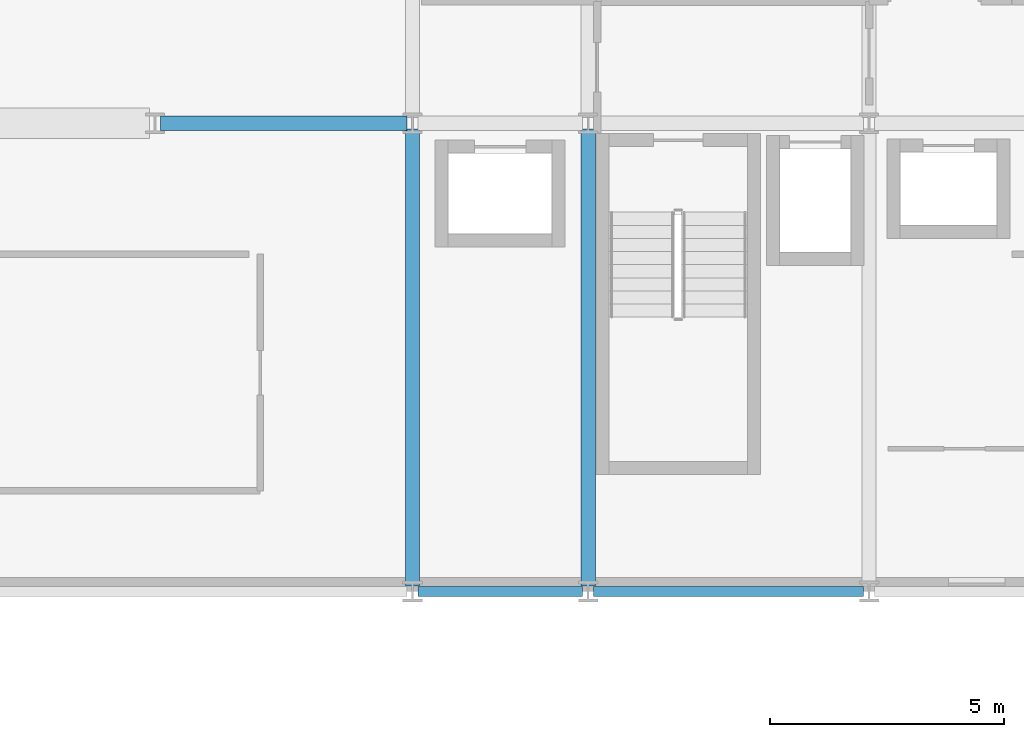
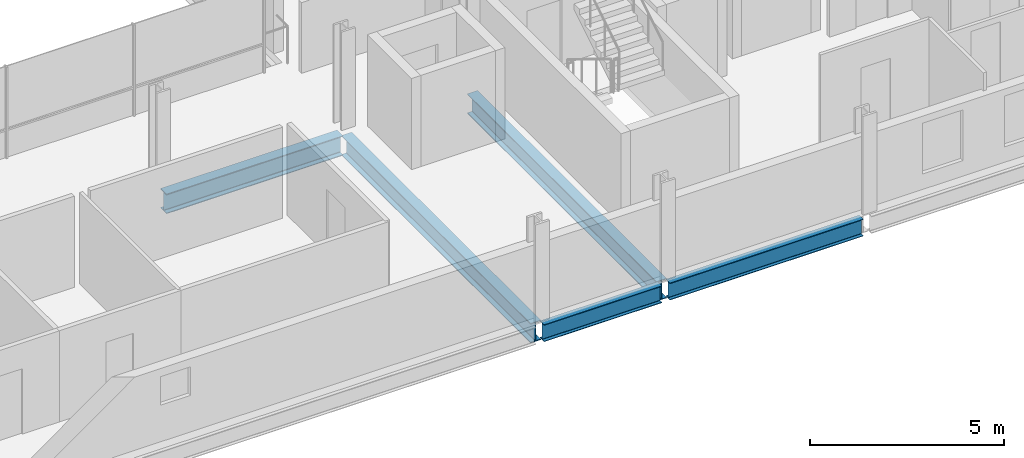
# One storey, part 12 of 40: 5 beams.
"""IFC4 building model written with IfcOpenShell, lengths in metres."""

from ifc_helpers import new_model, si_unit, direction, frame, origin, origin_2d, place, context, subcontext, project, spatial, i_section, extrude, material, material_profile, profile_set, type_object, element, save


model = new_model("IFC4")

# Units and contexts
model_context = context("Model", 3, precision=1e-05, world=origin(), true_north=direction((0.0, 1.0)))
body_context = subcontext(model_context, "Body", "Model", "MODEL_VIEW")
ifc_project = project(units=[si_unit("LENGTHUNIT", "METRE"), si_unit("AREAUNIT", "SQUARE_METRE"), si_unit("VOLUMEUNIT", "CUBIC_METRE"), si_unit("PLANEANGLEUNIT", "RADIAN"), si_unit("MASSUNIT", "GRAM", prefix="KILO")], contexts=[model_context])

# Site, building, storey
site_placement = place(None, origin())
site = spatial("IfcSite", under=ifc_project, at=site_placement, CompositionType="ELEMENT")
building_placement = place(site_placement, origin())
building = spatial("IfcBuilding", under=site, at=building_placement, Name="Brevholm Reach", CompositionType="ELEMENT")
storey_placement = place(building_placement, frame((0.0, 0.0, 80.699951171875)))
storey = spatial("IfcBuildingStorey", under=building, at=storey_placement, Name="L23", CompositionType="ELEMENT", Elevation=80.699951171875)

# Beams
ifc_material_1 = material(Name="Structural Steel S355J2", Category="steel")
ifc_material_profile_1 = material_profile(ifc_material_1, i_section(OverallWidth=0.210693359375, OverallDepth=0.53955078125, WebThickness=0.01171875, FlangeThickness=0.018798828125, FilletRadius=0.0126953125, at=origin_2d()), Name="UKB 533x210x109")
ifc_profile_set_1 = profile_set([ifc_material_profile_1], Name="Structural Steel S355J2")
beam_type_1 = type_object("IfcBeamType", Name="BM-SP539", PredefinedType="SPANDREL", material=ifc_profile_set_1)
beam_1_placement = place(storey_placement, frame((38.3701171875, 0.0, -0.499755859375), z_axis=(1.0, 0.0, 0.0), x_axis=(0.0, 1.0, 0.0)))
element("IfcBeam", 1, at=beam_1_placement, inside=storey, type_object=beam_type_1, Name="L23 SP-01B Framing Beam", PredefinedType="SPANDREL", context=body_context, shape_type="SweptSolid", body=[
    extrude(i_section(OverallWidth=0.210693359375, OverallDepth=0.53955078125, WebThickness=0.01171875, FlangeThickness=0.018798828125, FilletRadius=0.0126953125, at=origin_2d()), origin(), (0.0, 0.0, 1.0), 3.509765625),
])
beam_2_placement = place(storey_placement, frame((42.1201171875, 0.0, -0.499755859375), z_axis=(1.0, 0.0, 0.0), x_axis=(0.0, 1.0, 0.0)))
element("IfcBeam", 2, at=beam_2_placement, inside=storey, type_object=beam_type_1, Name="L23 SP-01B Framing Beam", PredefinedType="SPANDREL", context=body_context, shape_type="SweptSolid", body=[
    extrude(i_section(OverallWidth=0.210693359375, OverallDepth=0.53955078125, WebThickness=0.01171875, FlangeThickness=0.018798828125, FilletRadius=0.0126953125, at=origin_2d()), origin(), (0.0, 0.0, 1.0), 5.759765625),
])
ifc_material_2 = material(Name="Structural Steel S355J2", Category="steel")
ifc_material_profile_2 = material_profile(ifc_material_2, i_section(OverallWidth=0.30712890625, OverallDepth=0.6201171875, WebThickness=0.01416015625, FlangeThickness=0.023681640625, FilletRadius=0.0166015625, at=origin_2d()), Name="UKB 610x305x179")
ifc_profile_set_2 = profile_set([ifc_material_profile_2], Name="Structural Steel S355J2")
beam_type_2 = type_object("IfcBeamType", Name="BM-UKB610H", PredefinedType="USERDEFINED", material=ifc_profile_set_2)
beam_3_placement = place(storey_placement, frame((32.8701171875, 10.0, -0.5400390625), z_axis=(1.0, 0.0, 0.0), x_axis=(0.0, 1.0, 0.0)))
element("IfcBeam", 3, at=beam_3_placement, inside=storey, type_object=beam_type_2, Name="L23 G-06 Framing Beam", ObjectType="GIRDER", PredefinedType="USERDEFINED", context=body_context, shape_type="SweptSolid", body=[
    extrude(i_section(OverallWidth=0.30712890625, OverallDepth=0.6201171875, WebThickness=0.01416015625, FlangeThickness=0.023681640625, FilletRadius=0.0166015625, at=origin_2d()), origin(), (0.0, 0.0, 1.0), 5.259765625),
])
for number, where, z_axis, x_axis, name in (
    (4, (38.25, 0.1201171875, -0.5400390625), (0.0, 1.0, 0.0), (-1.0, 0.0, 0.0), "L23 G-06 Framing Beam"),
    (5, (42.0, 0.1201171875, -0.5400390625), (0.0, 1.0, 0.0), (-1.0, 0.0, 0.0), "L23 G-06 Framing Beam"),
):
    element("IfcBeam", number, at=place(storey_placement, frame(where, z_axis=z_axis, x_axis=x_axis)), inside=storey, type_object=beam_type_2, Name=name, ObjectType="GIRDER", PredefinedType="USERDEFINED", context=body_context, shape_type="SweptSolid", body=[
        extrude(i_section(OverallWidth=0.30712890625, OverallDepth=0.6201171875, WebThickness=0.01416015625, FlangeThickness=0.023681640625, FilletRadius=0.0166015625, at=origin_2d()), origin(), (0.0, 0.0, 1.0), 9.759765625),
    ])

save(model, "model.ifc")
